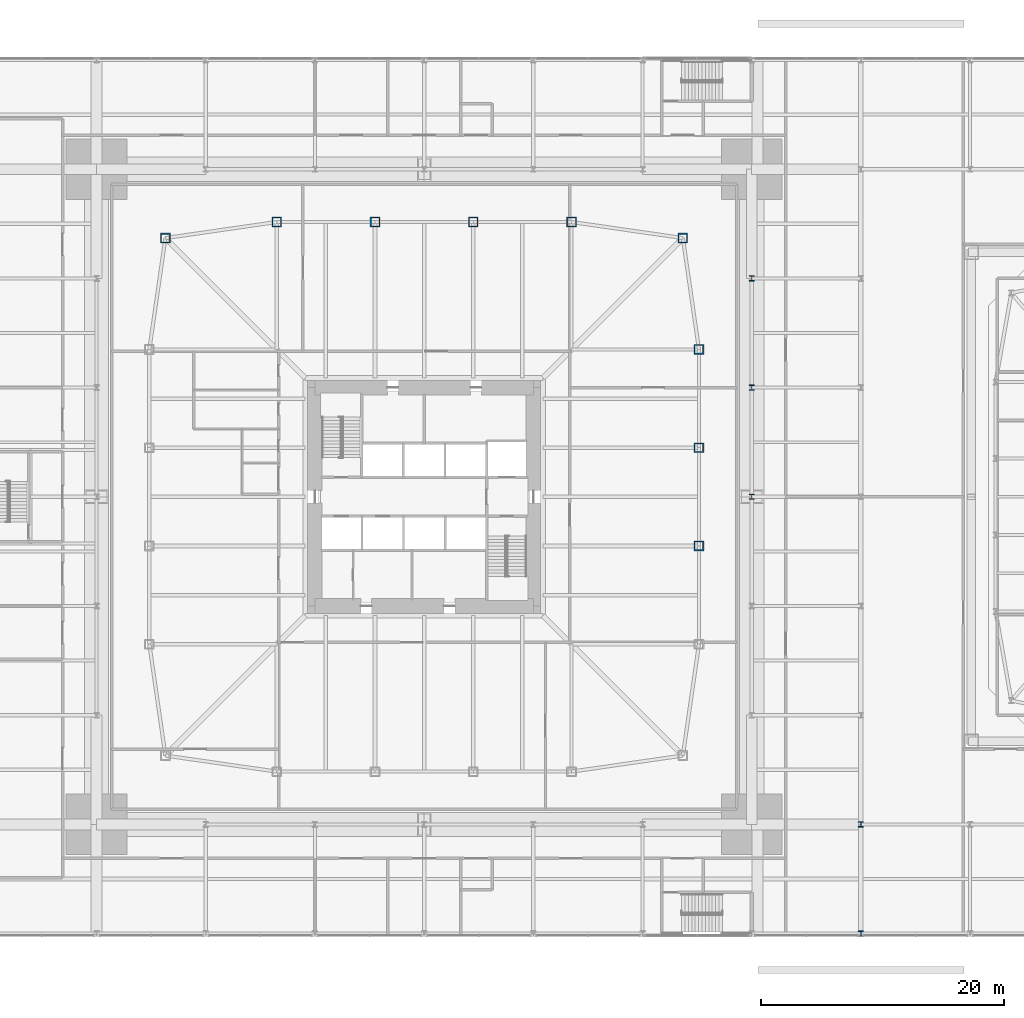
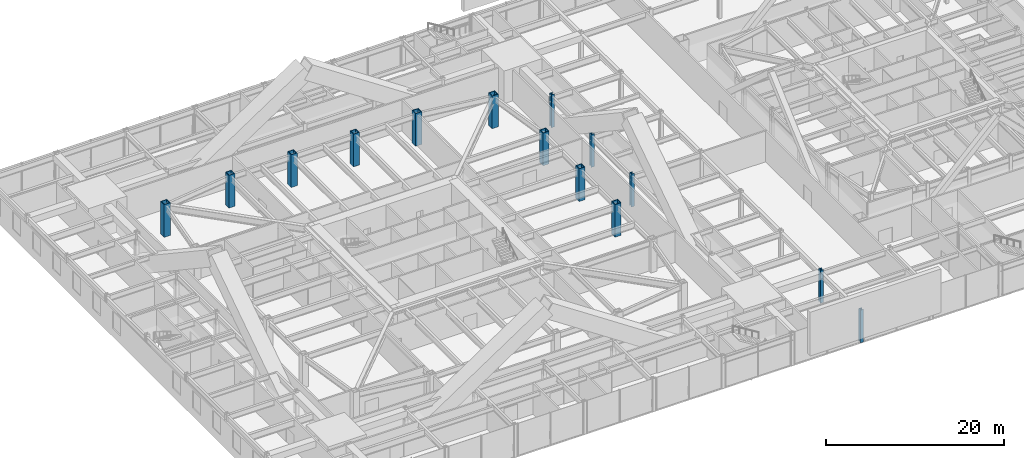
# One storey, part 2 of 32: 14 columns.
"""IFC4 building model written with IfcOpenShell, lengths in metres."""

from ifc_helpers import new_model, si_unit, direction, frame, origin, origin_2d, place, context, subcontext, project, spatial, hollow_rectangle, i_section, extrude, material, material_profile, profile_set, type_object, element, save


model = new_model("IFC4")

# Units and contexts
model_context = context("Model", 3, precision=1e-05, world=origin(), true_north=direction((0.0, 1.0)))
body_context = subcontext(model_context, "Body", "Model", "MODEL_VIEW")
ifc_project = project(units=[si_unit("LENGTHUNIT", "METRE"), si_unit("AREAUNIT", "SQUARE_METRE"), si_unit("VOLUMEUNIT", "CUBIC_METRE"), si_unit("PLANEANGLEUNIT", "RADIAN"), si_unit("MASSUNIT", "GRAM", prefix="KILO")], contexts=[model_context])

# Site, building, storey
site_placement = place(None, origin())
site = spatial("IfcSite", under=ifc_project, at=site_placement, CompositionType="ELEMENT")
building_placement = place(site_placement, origin())
building = spatial("IfcBuilding", under=site, at=building_placement, Name="Iwan Alto Co-Living Towers", CompositionType="ELEMENT")
storey_placement = place(building_placement, frame((0.0, 0.0, 6.0)))
storey = spatial("IfcBuildingStorey", under=building, at=storey_placement, Name="L01", CompositionType="ELEMENT", Elevation=6.0)

# Columns
ifc_material_1 = material(Name="Steel ASTM A992 Gr 50", Category="steel")
ifc_material_profile_1 = material_profile(ifc_material_1, i_section(OverallWidth=0.411376953125, OverallDepth=0.434326171875, WebThickness=0.035888671875, FlangeThickness=0.057373046875, at=origin_2d()), Name="W14X311")
ifc_profile_set_1 = profile_set([ifc_material_profile_1], Name="Steel ASTM A992 Gr 50")
column_type_1 = type_object("IfcColumnType", Name="PODIUM COLUMN W14X311", PredefinedType="COLUMN", material=ifc_profile_set_1)
for number, where, z_axis, x_axis, name in (
    (1, (27.0, 0.0, 0.0), (0.0, 0.0, 1.0), (1.0, 0.0, 0.0), "Podium column 8/E L01"),
    (2, (27.0, 9.0, 0.0), (0.0, 0.0, 1.0), (1.0, 0.0, 0.0), "Podium column 8/F L01"),
    (3, (27.0, 18.0, 0.0), (0.0, 0.0, 1.0), (1.0, 0.0, 0.0), "Podium column 8/G L01"),
    (4, (36.0, -36.0, 0.0), (0.0, 0.0, 1.0), (1.0, 0.0, 0.0), "Podium column 9/A L01"),
    (5, (36.0, -27.0, 0.0), (0.0, 0.0, 1.0), (1.0, 0.0, 0.0), "Podium column 9/B L01"),
):
    element("IfcColumn", number, at=place(storey_placement, frame(where, z_axis=z_axis, x_axis=x_axis)), inside=storey, type_object=column_type_1, Name=name, PredefinedType="COLUMN", context=body_context, shape_type="SweptSolid", body=[
        extrude(i_section(OverallWidth=0.411376953125, OverallDepth=0.434326171875, WebThickness=0.035888671875, FlangeThickness=0.057373046875, at=origin_2d()), origin(), (0.0, 0.0, 1.0), 4.5),
    ])
ifc_material_2 = material(Name="Steel ASTM A572 Gr 50", Category="steel")
ifc_material_profile_2 = material_profile(ifc_material_2, hollow_rectangle(XDim=0.800048828125, YDim=0.800048828125, WallThickness=0.090087890625, at=origin_2d()), Name="BOX 800X800X90")
ifc_profile_set_2 = profile_set([ifc_material_profile_2], Name="Steel ASTM A572 Gr 50")
column_type_2 = type_object("IfcColumnType", Name="T1 RING COLUMN BOX 800X800X90", PredefinedType="COLUMN", material=ifc_profile_set_2)
for number, where, z_axis, x_axis, name in (
    (6, (22.64990234375, -4.050048828125, 0.0), (0.0, 0.0, 1.0), (1.0, 0.0, 0.0), "T1 ring column E2 L01"),
    (7, (22.64990234375, 4.050048828125, 0.0), (0.0, 0.0, 1.0), (1.0, 0.0, 0.0), "T1 ring column E3 L01"),
    (8, (22.64990234375, 12.14990234375, 0.0), (0.0, 0.0, 1.0), (1.0, 0.0, 0.0), "T1 ring column E4 L01"),
    (9, (21.32568359375, 21.32568359375, 0.0), (0.0, 0.0, 1.0), (1.0, 0.0, 0.0), "T1 ring column CNE L01"),
    (10, (12.14990234375, 22.64990234375, 0.0), (0.0, 0.0, 1.0), (1.0, 0.0, 0.0), "T1 ring column N1 L01"),
    (11, (4.050048828125, 22.64990234375, 0.0), (0.0, 0.0, 1.0), (1.0, 0.0, 0.0), "T1 ring column N2 L01"),
    (12, (-4.050048828125, 22.64990234375, 0.0), (0.0, 0.0, 1.0), (1.0, 0.0, 0.0), "T1 ring column N3 L01"),
    (13, (-12.14990234375, 22.64990234375, 0.0), (0.0, 0.0, 1.0), (1.0, 0.0, 0.0), "T1 ring column N4 L01"),
    (14, (-21.32568359375, 21.32568359375, 0.0), (0.0, 0.0, 1.0), (1.0, 0.0, 0.0), "T1 ring column CNW L01"),
):
    element("IfcColumn", number, at=place(storey_placement, frame(where, z_axis=z_axis, x_axis=x_axis)), inside=storey, type_object=column_type_2, Name=name, PredefinedType="COLUMN", context=body_context, shape_type="SweptSolid", body=[
        extrude(hollow_rectangle(XDim=0.800048828125, YDim=0.800048828125, WallThickness=0.090087890625, at=origin_2d()), origin(), (0.0, 0.0, 1.0), 4.5),
    ])

save(model, "model.ifc")
